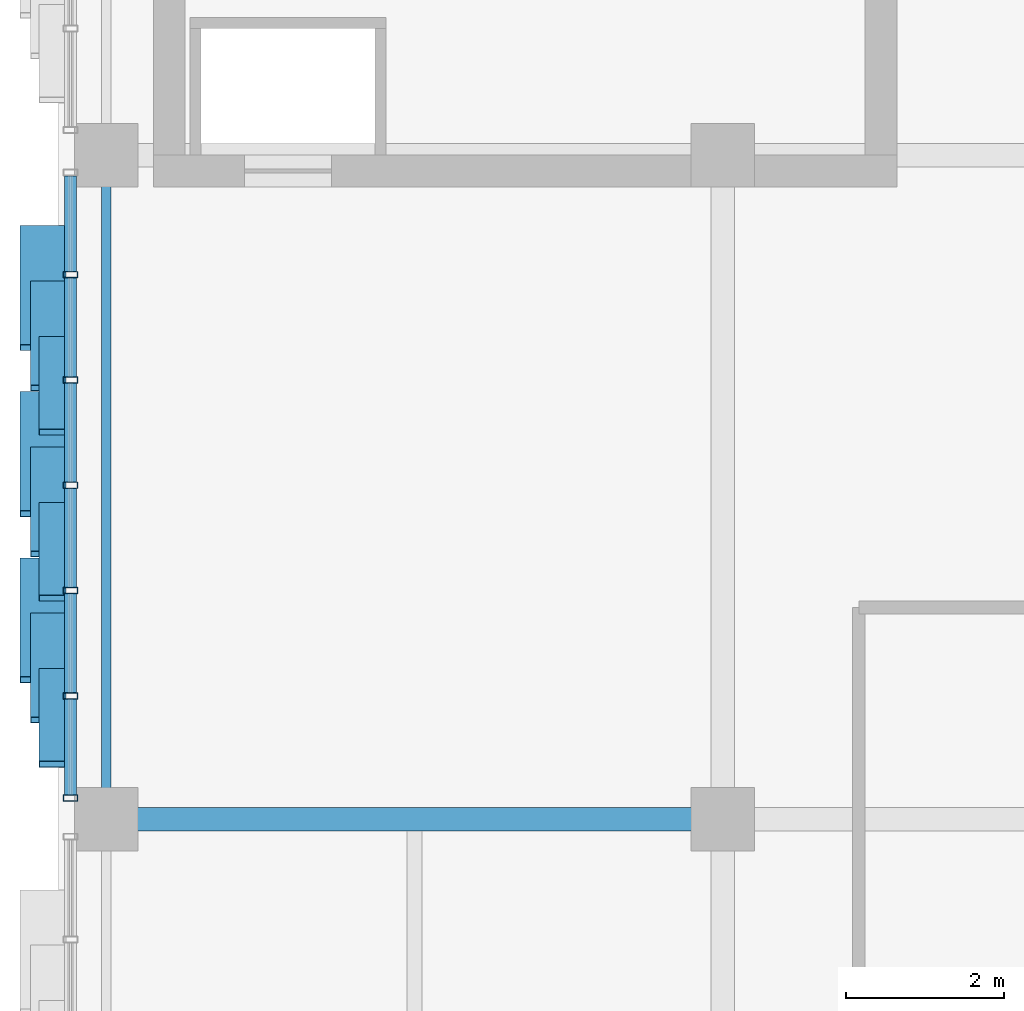
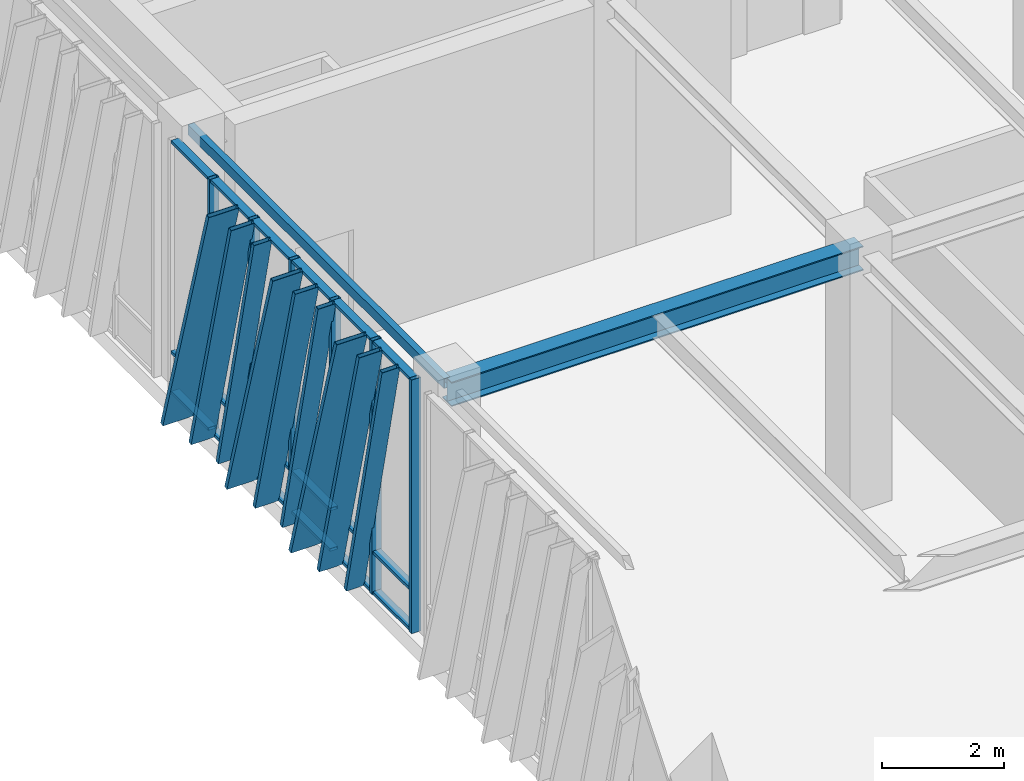
# One storey, part 39 of 122: 33 members, 2 beams, 1 element without a shape of its own.
"""IFC4 building model written with IfcOpenShell, lengths in metres."""

from ifc_helpers import new_model, si_unit, direction, frame, origin, origin_2d, place, context, subcontext, project, spatial, hollow_rectangle, i_section, extrude, material, layer, layer_set, material_profile, profile_set, type_object, element, aggregate, save


model = new_model("IFC4")

# Units and contexts
model_context = context("Model", 3, precision=1e-05, world=origin(), true_north=direction((0.0, 1.0)))
body_context = subcontext(model_context, "Body", "Model", "MODEL_VIEW")
ifc_project = project(units=[si_unit("LENGTHUNIT", "METRE"), si_unit("AREAUNIT", "SQUARE_METRE"), si_unit("VOLUMEUNIT", "CUBIC_METRE"), si_unit("PLANEANGLEUNIT", "RADIAN"), si_unit("MASSUNIT", "GRAM", prefix="KILO")], contexts=[model_context])

# Site, building, storey
site_placement = place(None, origin())
site = spatial("IfcSite", under=ifc_project, at=site_placement, CompositionType="ELEMENT")
building_placement = place(site_placement, origin())
building = spatial("IfcBuilding", under=site, at=building_placement, Name="Zayran Congress Hotel", CompositionType="ELEMENT")
storey_placement = place(building_placement, origin())
storey = spatial("IfcBuildingStorey", under=building, at=storey_placement, Name="L00", CompositionType="ELEMENT", Elevation=0.0)

# Beams
ifc_material_1 = material(Name="Steel S355", Category="steel")
ifc_material_profile_1 = material_profile(ifc_material_1, i_section(OverallWidth=0.300048828125, OverallDepth=0.489990234375, WebThickness=0.011962890625, FlangeThickness=0.02294921875, at=origin_2d()), Name="HEA 500")
ifc_profile_set_1 = profile_set([ifc_material_profile_1], Name="Steel S355")
beam_type_1 = type_object("IfcBeamType", Name="TP-BM-05", PredefinedType="BEAM", material=ifc_profile_set_1)
beam_1_placement = place(storey_placement, frame((9.0, 101.199951171875, 4.8349609375), z_axis=(1.0, 0.0, 0.0), x_axis=(0.0, 1.0, 0.0)))
element("IfcBeam", 1, at=beam_1_placement, inside=storey, type_object=beam_type_1, Name="BM-V1-L00-0421", PredefinedType="BEAM", context=body_context, shape_type="SweptSolid", body=[
    extrude(i_section(OverallWidth=0.300048828125, OverallDepth=0.489990234375, WebThickness=0.011962890625, FlangeThickness=0.02294921875, at=origin_2d()), origin(), (0.0, 0.0, 1.0), 7.800048828125),
])
ifc_material_profile_2 = material_profile(ifc_material_1, hollow_rectangle(XDim=0.1201171875, YDim=0.199951171875, WallThickness=0.008056640625, at=origin_2d()), Name="RHS 200x120x8")
ifc_profile_set_2 = profile_set([ifc_material_profile_2], Name="Steel S355")
beam_type_2 = type_object("IfcBeamType", Name="TP-SP-02", PredefinedType="SPANDREL", material=ifc_profile_set_2)
beam_2_placement = place(storey_placement, frame((9.0, 101.199951171875, 4.97998046875), z_axis=(0.0, 1.0, 0.0), x_axis=(-1.0, 0.0, 0.0)))
element("IfcBeam", 2, at=beam_2_placement, inside=storey, type_object=beam_type_2, Name="BM-V1-L00-0449", PredefinedType="SPANDREL", context=body_context, shape_type="SweptSolid", body=[
    extrude(hollow_rectangle(XDim=0.1201171875, YDim=0.199951171875, WallThickness=0.008056640625, at=origin_2d()), origin(), (0.0, 0.0, 1.0), 8.400146484375),
])

# Curtain wall, members
ifc_material_2 = material(Name="Anodised aluminium and low-E insulated glass", Category="aluminium")
ifc_layer = layer(ifc_material_2, 0.179931640625)
ifc_layer_set = layer_set([ifc_layer], Name="Anodised aluminium and low-E insulated glass")
curtain_wall_type = type_object("IfcCurtainWallType", Name="CW-V1W-L00-CW-31-7990-5080", PredefinedType="USERDEFINED", material=ifc_layer_set)
curtain_wall_placement = place(storey_placement, origin())
curtain_wall = element("IfcCurtainWall", 3, at=curtain_wall_placement, inside=storey, type_object=curtain_wall_type, Name="CW-V1W-L00-4", ObjectType="CURTAIN WALL", PredefinedType="USERDEFINED")
ifc_material_3 = material(Name="Anodised aluminium framing", Category="aluminium")
ifc_material_profile_3 = material_profile(ifc_material_3, hollow_rectangle(XDim=0.080078125, YDim=0.179931640625, WallThickness=0.0048828125, at=origin_2d()), Name="RHS 180x80x5")
ifc_profile_set_3 = profile_set([ifc_material_profile_3], Name="Anodised aluminium framing")
member_type_1 = type_object("IfcMemberType", Name="TP-CWM-01", PredefinedType="MULLION", material=ifc_profile_set_3)
member_1_placement = place(storey_placement, frame((8.550048828125, 108.08837890625, 0.0), z_axis=(0.0, 0.0, 1.0), x_axis=(0.0, 1.0, 0.0)))
member_1 = element("IfcMember", 4, at=member_1_placement, type_object=member_type_1, Name="CW-V1W-L00-4-M01", PredefinedType="MULLION", context=body_context, shape_type="SweptSolid", body=[
    extrude(hollow_rectangle(XDim=0.080078125, YDim=0.179931640625, WallThickness=0.0048828125, at=origin_2d()), origin(), (0.0, 0.0, 1.0), 5.080078125),
])
member_2_placement = place(storey_placement, frame((8.550048828125, 106.756591796875, 0.0), z_axis=(0.0, 0.0, 1.0), x_axis=(0.0, 1.0, 0.0)))
member_2 = element("IfcMember", 5, at=member_2_placement, type_object=member_type_1, Name="CW-V1W-L00-4-M02", PredefinedType="MULLION", context=body_context, shape_type="SweptSolid", body=[
    extrude(hollow_rectangle(XDim=0.080078125, YDim=0.179931640625, WallThickness=0.0048828125, at=origin_2d()), origin(), (0.0, 0.0, 1.0), 5.080078125),
])
member_3_placement = place(storey_placement, frame((8.550048828125, 105.425048828125, 0.0), z_axis=(0.0, 0.0, 1.0), x_axis=(0.0, 1.0, 0.0)))
member_3 = element("IfcMember", 6, at=member_3_placement, type_object=member_type_1, Name="CW-V1W-L00-4-M03", PredefinedType="MULLION", context=body_context, shape_type="SweptSolid", body=[
    extrude(hollow_rectangle(XDim=0.080078125, YDim=0.179931640625, WallThickness=0.0048828125, at=origin_2d()), origin(), (0.0, 0.0, 1.0), 5.080078125),
])
member_4_placement = place(storey_placement, frame((8.550048828125, 104.09326171875, 0.0), z_axis=(0.0, 0.0, 1.0), x_axis=(0.0, 1.0, 0.0)))
member_4 = element("IfcMember", 7, at=member_4_placement, type_object=member_type_1, Name="CW-V1W-L00-4-M04", PredefinedType="MULLION", context=body_context, shape_type="SweptSolid", body=[
    extrude(hollow_rectangle(XDim=0.080078125, YDim=0.179931640625, WallThickness=0.0048828125, at=origin_2d()), origin(), (0.0, 0.0, 1.0), 5.080078125),
])
member_5_placement = place(storey_placement, frame((8.550048828125, 102.76171875, 0.0), z_axis=(0.0, 0.0, 1.0), x_axis=(0.0, 1.0, 0.0)))
member_5 = element("IfcMember", 8, at=member_5_placement, type_object=member_type_1, Name="CW-V1W-L00-4-M05", PredefinedType="MULLION", context=body_context, shape_type="SweptSolid", body=[
    extrude(hollow_rectangle(XDim=0.080078125, YDim=0.179931640625, WallThickness=0.0048828125, at=origin_2d()), origin(), (0.0, 0.0, 1.0), 5.080078125),
])
member_6_placement = place(storey_placement, frame((8.550048828125, 101.469970703125, 0.0), z_axis=(0.0, 0.0, 1.0), x_axis=(0.0, 1.0, 0.0)))
member_6 = element("IfcMember", 9, at=member_6_placement, type_object=member_type_1, Name="CW-V1W-L00-4-M06", PredefinedType="MULLION", context=body_context, shape_type="SweptSolid", body=[
    extrude(hollow_rectangle(XDim=0.080078125, YDim=0.179931640625, WallThickness=0.0048828125, at=origin_2d()), origin(), (0.0, 0.0, 1.0), 5.080078125),
])
ifc_material_profile_4 = material_profile(ifc_material_3, hollow_rectangle(XDim=0.06005859375, YDim=0.14990234375, WallThickness=0.00390625, at=origin_2d()), Name="RHS 150x60x4")
ifc_profile_set_4 = profile_set([ifc_material_profile_4], Name="Anodised aluminium framing")
member_type_2 = type_object("IfcMemberType", Name="TP-CWT-01", PredefinedType="USERDEFINED", material=ifc_profile_set_4)
member_7_placement = place(storey_placement, frame((8.550048828125, 109.340087890625, 0.030029296875), z_axis=(0.0, -1.0, 0.0), x_axis=(0.0, 0.0, 1.0)))
member_7 = element("IfcMember", 10, at=member_7_placement, type_object=member_type_2, Name="CW-V1W-L00-4-T00-0", ObjectType="TRANSOM", PredefinedType="USERDEFINED", context=body_context, shape_type="SweptSolid", body=[
    extrude(hollow_rectangle(XDim=0.06005859375, YDim=0.14990234375, WallThickness=0.00390625, at=origin_2d()), origin(), (0.0, 0.0, 1.0), 1.211669921875),
])
member_8_placement = place(storey_placement, frame((8.550048828125, 109.340087890625, 0.840087890625), z_axis=(0.0, -1.0, 0.0), x_axis=(0.0, 0.0, 1.0)))
member_8 = element("IfcMember", 11, at=member_8_placement, type_object=member_type_2, Name="CW-V1W-L00-4-T00-1", ObjectType="TRANSOM", PredefinedType="USERDEFINED", context=body_context, shape_type="SweptSolid", body=[
    extrude(hollow_rectangle(XDim=0.06005859375, YDim=0.14990234375, WallThickness=0.00390625, at=origin_2d()), origin(), (0.0, 0.0, 1.0), 1.211669921875),
])
member_9_placement = place(storey_placement, frame((8.550048828125, 109.340087890625, 5.050048828125), z_axis=(0.0, -1.0, 0.0), x_axis=(0.0, 0.0, 1.0)))
member_9 = element("IfcMember", 12, at=member_9_placement, type_object=member_type_2, Name="CW-V1W-L00-4-T00-2", ObjectType="TRANSOM", PredefinedType="USERDEFINED", context=body_context, shape_type="SweptSolid", body=[
    extrude(hollow_rectangle(XDim=0.06005859375, YDim=0.14990234375, WallThickness=0.00390625, at=origin_2d()), origin(), (0.0, 0.0, 1.0), 1.211669921875),
])
member_10_placement = place(storey_placement, frame((8.550048828125, 108.04833984375, 0.030029296875), z_axis=(0.0, -1.0, 0.0), x_axis=(0.0, 0.0, 1.0)))
member_10 = element("IfcMember", 13, at=member_10_placement, type_object=member_type_2, Name="CW-V1W-L00-4-T01-0", ObjectType="TRANSOM", PredefinedType="USERDEFINED", context=body_context, shape_type="SweptSolid", body=[
    extrude(hollow_rectangle(XDim=0.06005859375, YDim=0.14990234375, WallThickness=0.00390625, at=origin_2d()), origin(), (0.0, 0.0, 1.0), 1.251708984375),
])
member_11_placement = place(storey_placement, frame((8.550048828125, 108.04833984375, 0.840087890625), z_axis=(0.0, -1.0, 0.0), x_axis=(0.0, 0.0, 1.0)))
member_11 = element("IfcMember", 14, at=member_11_placement, type_object=member_type_2, Name="CW-V1W-L00-4-T01-1", ObjectType="TRANSOM", PredefinedType="USERDEFINED", context=body_context, shape_type="SweptSolid", body=[
    extrude(hollow_rectangle(XDim=0.06005859375, YDim=0.14990234375, WallThickness=0.00390625, at=origin_2d()), origin(), (0.0, 0.0, 1.0), 1.251708984375),
])
member_12_placement = place(storey_placement, frame((8.550048828125, 108.04833984375, 5.050048828125), z_axis=(0.0, -1.0, 0.0), x_axis=(0.0, 0.0, 1.0)))
member_12 = element("IfcMember", 15, at=member_12_placement, type_object=member_type_2, Name="CW-V1W-L00-4-T01-2", ObjectType="TRANSOM", PredefinedType="USERDEFINED", context=body_context, shape_type="SweptSolid", body=[
    extrude(hollow_rectangle(XDim=0.06005859375, YDim=0.14990234375, WallThickness=0.00390625, at=origin_2d()), origin(), (0.0, 0.0, 1.0), 1.251708984375),
])
member_13_placement = place(storey_placement, frame((8.550048828125, 106.716796875, 0.030029296875), z_axis=(0.0, -1.0, 0.0), x_axis=(0.0, 0.0, 1.0)))
member_13 = element("IfcMember", 16, at=member_13_placement, type_object=member_type_2, Name="CW-V1W-L00-4-T02-0", ObjectType="TRANSOM", PredefinedType="USERDEFINED", context=body_context, shape_type="SweptSolid", body=[
    extrude(hollow_rectangle(XDim=0.06005859375, YDim=0.14990234375, WallThickness=0.00390625, at=origin_2d()), origin(), (0.0, 0.0, 1.0), 1.251708984375),
])
member_14_placement = place(storey_placement, frame((8.550048828125, 106.716796875, 0.840087890625), z_axis=(0.0, -1.0, 0.0), x_axis=(0.0, 0.0, 1.0)))
member_14 = element("IfcMember", 17, at=member_14_placement, type_object=member_type_2, Name="CW-V1W-L00-4-T02-1", ObjectType="TRANSOM", PredefinedType="USERDEFINED", context=body_context, shape_type="SweptSolid", body=[
    extrude(hollow_rectangle(XDim=0.06005859375, YDim=0.14990234375, WallThickness=0.00390625, at=origin_2d()), origin(), (0.0, 0.0, 1.0), 1.251708984375),
])
member_15_placement = place(storey_placement, frame((8.550048828125, 106.716796875, 5.050048828125), z_axis=(0.0, -1.0, 0.0), x_axis=(0.0, 0.0, 1.0)))
member_15 = element("IfcMember", 18, at=member_15_placement, type_object=member_type_2, Name="CW-V1W-L00-4-T02-2", ObjectType="TRANSOM", PredefinedType="USERDEFINED", context=body_context, shape_type="SweptSolid", body=[
    extrude(hollow_rectangle(XDim=0.06005859375, YDim=0.14990234375, WallThickness=0.00390625, at=origin_2d()), origin(), (0.0, 0.0, 1.0), 1.251708984375),
])
member_16_placement = place(storey_placement, frame((8.550048828125, 105.385009765625, 0.030029296875), z_axis=(0.0, -1.0, 0.0), x_axis=(0.0, 0.0, 1.0)))
member_16 = element("IfcMember", 19, at=member_16_placement, type_object=member_type_2, Name="CW-V1W-L00-4-T03-0", ObjectType="TRANSOM", PredefinedType="USERDEFINED", context=body_context, shape_type="SweptSolid", body=[
    extrude(hollow_rectangle(XDim=0.06005859375, YDim=0.14990234375, WallThickness=0.00390625, at=origin_2d()), origin(), (0.0, 0.0, 1.0), 1.251708984375),
])
member_17_placement = place(storey_placement, frame((8.550048828125, 105.385009765625, 0.840087890625), z_axis=(0.0, -1.0, 0.0), x_axis=(0.0, 0.0, 1.0)))
member_17 = element("IfcMember", 20, at=member_17_placement, type_object=member_type_2, Name="CW-V1W-L00-4-T03-1", ObjectType="TRANSOM", PredefinedType="USERDEFINED", context=body_context, shape_type="SweptSolid", body=[
    extrude(hollow_rectangle(XDim=0.06005859375, YDim=0.14990234375, WallThickness=0.00390625, at=origin_2d()), origin(), (0.0, 0.0, 1.0), 1.251708984375),
])
member_18_placement = place(storey_placement, frame((8.550048828125, 105.385009765625, 5.050048828125), z_axis=(0.0, -1.0, 0.0), x_axis=(0.0, 0.0, 1.0)))
member_18 = element("IfcMember", 21, at=member_18_placement, type_object=member_type_2, Name="CW-V1W-L00-4-T03-2", ObjectType="TRANSOM", PredefinedType="USERDEFINED", context=body_context, shape_type="SweptSolid", body=[
    extrude(hollow_rectangle(XDim=0.06005859375, YDim=0.14990234375, WallThickness=0.00390625, at=origin_2d()), origin(), (0.0, 0.0, 1.0), 1.251708984375),
])
member_19_placement = place(storey_placement, frame((8.550048828125, 104.05322265625, 0.030029296875), z_axis=(0.0, -1.0, 0.0), x_axis=(0.0, 0.0, 1.0)))
member_19 = element("IfcMember", 22, at=member_19_placement, type_object=member_type_2, Name="CW-V1W-L00-4-T04-0", ObjectType="TRANSOM", PredefinedType="USERDEFINED", context=body_context, shape_type="SweptSolid", body=[
    extrude(hollow_rectangle(XDim=0.06005859375, YDim=0.14990234375, WallThickness=0.00390625, at=origin_2d()), origin(), (0.0, 0.0, 1.0), 1.25146484375),
])
member_20_placement = place(storey_placement, frame((8.550048828125, 104.05322265625, 0.840087890625), z_axis=(0.0, -1.0, 0.0), x_axis=(0.0, 0.0, 1.0)))
member_20 = element("IfcMember", 23, at=member_20_placement, type_object=member_type_2, Name="CW-V1W-L00-4-T04-1", ObjectType="TRANSOM", PredefinedType="USERDEFINED", context=body_context, shape_type="SweptSolid", body=[
    extrude(hollow_rectangle(XDim=0.06005859375, YDim=0.14990234375, WallThickness=0.00390625, at=origin_2d()), origin(), (0.0, 0.0, 1.0), 1.25146484375),
])
member_21_placement = place(storey_placement, frame((8.550048828125, 104.05322265625, 5.050048828125), z_axis=(0.0, -1.0, 0.0), x_axis=(0.0, 0.0, 1.0)))
member_21 = element("IfcMember", 24, at=member_21_placement, type_object=member_type_2, Name="CW-V1W-L00-4-T04-2", ObjectType="TRANSOM", PredefinedType="USERDEFINED", context=body_context, shape_type="SweptSolid", body=[
    extrude(hollow_rectangle(XDim=0.06005859375, YDim=0.14990234375, WallThickness=0.00390625, at=origin_2d()), origin(), (0.0, 0.0, 1.0), 1.25146484375),
])
member_22_placement = place(storey_placement, frame((8.550048828125, 102.7216796875, 0.030029296875), z_axis=(0.0, -1.0, 0.0), x_axis=(0.0, 0.0, 1.0)))
member_22 = element("IfcMember", 25, at=member_22_placement, type_object=member_type_2, Name="CW-V1W-L00-4-T05-0", ObjectType="TRANSOM", PredefinedType="USERDEFINED", context=body_context, shape_type="SweptSolid", body=[
    extrude(hollow_rectangle(XDim=0.06005859375, YDim=0.14990234375, WallThickness=0.00390625, at=origin_2d()), origin(), (0.0, 0.0, 1.0), 1.211669921875),
])
member_23_placement = place(storey_placement, frame((8.550048828125, 102.7216796875, 0.840087890625), z_axis=(0.0, -1.0, 0.0), x_axis=(0.0, 0.0, 1.0)))
member_23 = element("IfcMember", 26, at=member_23_placement, type_object=member_type_2, Name="CW-V1W-L00-4-T05-1", ObjectType="TRANSOM", PredefinedType="USERDEFINED", context=body_context, shape_type="SweptSolid", body=[
    extrude(hollow_rectangle(XDim=0.06005859375, YDim=0.14990234375, WallThickness=0.00390625, at=origin_2d()), origin(), (0.0, 0.0, 1.0), 1.211669921875),
])
member_24_placement = place(storey_placement, frame((8.550048828125, 102.7216796875, 5.050048828125), z_axis=(0.0, -1.0, 0.0), x_axis=(0.0, 0.0, 1.0)))
member_24 = element("IfcMember", 27, at=member_24_placement, type_object=member_type_2, Name="CW-V1W-L00-4-T05-2", ObjectType="TRANSOM", PredefinedType="USERDEFINED", context=body_context, shape_type="SweptSolid", body=[
    extrude(hollow_rectangle(XDim=0.06005859375, YDim=0.14990234375, WallThickness=0.00390625, at=origin_2d()), origin(), (0.0, 0.0, 1.0), 1.211669921875),
])
ifc_material_4 = material(Name="Warm bronze anodised aluminium", Category="aluminium")
ifc_material_profile_5 = material_profile(ifc_material_4, hollow_rectangle(XDim=0.080078125, YDim=0.580078125, WallThickness=0.006103515625, at=origin_2d()), Name="RHS 580x80x6")
ifc_profile_set_5 = profile_set([ifc_material_profile_5], Name="Warm bronze anodised aluminium")
member_type_3 = type_object("IfcMemberType", Name="TP-RFN-01", PredefinedType="MULLION", material=ifc_profile_set_5)
member_25_placement = place(storey_placement, frame((8.199951171875, 108.669921875, 0.0), z_axis=(0.0, -0.283989486251, 0.958827394112), x_axis=(0.0, 0.958827394112, 0.283989486251)))
member_25 = element("IfcMember", 28, at=member_25_placement, type_object=member_type_3, Name="Slanting Reed Mullion CW-31-01", PredefinedType="MULLION", context=body_context, shape_type="SweptSolid", body=[
    extrude(hollow_rectangle(XDim=0.080078125, YDim=0.580078125, WallThickness=0.006103515625, at=origin_2d()), origin(), (0.0, 0.0, 1.0), 5.29833984375),
])
member_26_placement = place(storey_placement, frame((8.199951171875, 106.570068359375, 0.0), z_axis=(0.0, -0.284031848834, 0.958814845968), x_axis=(0.0, 0.958814845968, 0.284031848834)))
member_26 = element("IfcMember", 29, at=member_26_placement, type_object=member_type_3, Name="Slanting Reed Mullion CW-31-04", PredefinedType="MULLION", context=body_context, shape_type="SweptSolid", body=[
    extrude(hollow_rectangle(XDim=0.080078125, YDim=0.580078125, WallThickness=0.006103515625, at=origin_2d()), origin(), (0.0, 0.0, 1.0), 5.29833984375),
])
member_27_placement = place(storey_placement, frame((8.199951171875, 104.469970703125, 0.0), z_axis=(0.0, -0.284031848834, 0.958814845968), x_axis=(0.0, 0.958814845968, 0.284031848834)))
member_27 = element("IfcMember", 30, at=member_27_placement, type_object=member_type_3, Name="Slanting Reed Mullion CW-31-07", PredefinedType="MULLION", context=body_context, shape_type="SweptSolid", body=[
    extrude(hollow_rectangle(XDim=0.080078125, YDim=0.580078125, WallThickness=0.006103515625, at=origin_2d()), origin(), (0.0, 0.0, 1.0), 5.29833984375),
])
ifc_material_profile_6 = material_profile(ifc_material_4, hollow_rectangle(XDim=0.080078125, YDim=0.449951171875, WallThickness=0.006103515625, at=origin_2d()), Name="RHS 450x80x6")
ifc_profile_set_6 = profile_set([ifc_material_profile_6], Name="Warm bronze anodised aluminium")
member_type_4 = type_object("IfcMemberType", Name="TP-RFN-02", PredefinedType="MULLION", material=ifc_profile_set_6)
member_28_placement = place(storey_placement, frame((8.264892578125, 107.969970703125, 0.0), z_axis=(0.0, -0.250366279854, 0.968151189594), x_axis=(0.0, 0.968151189594, 0.250366279854)))
member_28 = element("IfcMember", 31, at=member_28_placement, type_object=member_type_4, Name="Slanting Reed Mullion CW-31-02", PredefinedType="MULLION", context=body_context, shape_type="SweptSolid", body=[
    extrude(hollow_rectangle(XDim=0.080078125, YDim=0.449951171875, WallThickness=0.006103515625, at=origin_2d()), origin(), (0.0, 0.0, 1.0), 5.247314453125),
])
member_29_placement = place(storey_placement, frame((8.264892578125, 105.8701171875, 0.0), z_axis=(0.0, -0.25040989041, 0.968139910749), x_axis=(0.0, 0.968139910749, 0.25040989041)))
member_29 = element("IfcMember", 32, at=member_29_placement, type_object=member_type_4, Name="Slanting Reed Mullion CW-31-05", PredefinedType="MULLION", context=body_context, shape_type="SweptSolid", body=[
    extrude(hollow_rectangle(XDim=0.080078125, YDim=0.449951171875, WallThickness=0.006103515625, at=origin_2d()), origin(), (0.0, 0.0, 1.0), 5.247314453125),
])
member_30_placement = place(storey_placement, frame((8.264892578125, 103.77001953125, 0.0), z_axis=(0.0, -0.250366279854, 0.968151189594), x_axis=(0.0, 0.968151189594, 0.250366279854)))
member_30 = element("IfcMember", 33, at=member_30_placement, type_object=member_type_4, Name="Slanting Reed Mullion CW-31-08", PredefinedType="MULLION", context=body_context, shape_type="SweptSolid", body=[
    extrude(hollow_rectangle(XDim=0.080078125, YDim=0.449951171875, WallThickness=0.006103515625, at=origin_2d()), origin(), (0.0, 0.0, 1.0), 5.247314453125),
])
ifc_material_profile_7 = material_profile(ifc_material_4, hollow_rectangle(XDim=0.080078125, YDim=0.340087890625, WallThickness=0.006103515625, at=origin_2d()), Name="RHS 340x80x6")
ifc_profile_set_7 = profile_set([ifc_material_profile_7], Name="Warm bronze anodised aluminium")
member_type_5 = type_object("IfcMemberType", Name="TP-RFN-03", PredefinedType="MULLION", material=ifc_profile_set_7)
member_31_placement = place(storey_placement, frame((8.320068359375, 107.27001953125, 0.0), z_axis=(0.0, -0.224955263497, 0.974369093016), x_axis=(0.0, 0.974369093016, 0.224955263497)))
member_31 = element("IfcMember", 34, at=member_31_placement, type_object=member_type_5, Name="Slanting Reed Mullion CW-31-03", PredefinedType="MULLION", context=body_context, shape_type="SweptSolid", body=[
    extrude(hollow_rectangle(XDim=0.080078125, YDim=0.340087890625, WallThickness=0.006103515625, at=origin_2d()), origin(), (0.0, 0.0, 1.0), 5.213623046875),
])
member_32_placement = place(storey_placement, frame((8.320068359375, 105.169921875, 0.0), z_axis=(0.0, -0.224910805794, 0.97437935602), x_axis=(0.0, 0.97437935602, 0.224910805794)))
member_32 = element("IfcMember", 35, at=member_32_placement, type_object=member_type_5, Name="Slanting Reed Mullion CW-31-06", PredefinedType="MULLION", context=body_context, shape_type="SweptSolid", body=[
    extrude(hollow_rectangle(XDim=0.080078125, YDim=0.340087890625, WallThickness=0.006103515625, at=origin_2d()), origin(), (0.0, 0.0, 1.0), 5.213623046875),
])
member_33_placement = place(storey_placement, frame((8.320068359375, 103.070068359375, 0.0), z_axis=(0.0, -0.224955263497, 0.974369093016), x_axis=(0.0, 0.974369093016, 0.224955263497)))
member_33 = element("IfcMember", 36, at=member_33_placement, type_object=member_type_5, Name="Slanting Reed Mullion CW-31-09", PredefinedType="MULLION", context=body_context, shape_type="SweptSolid", body=[
    extrude(hollow_rectangle(XDim=0.080078125, YDim=0.340087890625, WallThickness=0.006103515625, at=origin_2d()), origin(), (0.0, 0.0, 1.0), 5.213623046875),
])
aggregate(curtain_wall, [member_1, member_2, member_3, member_4, member_5, member_6, member_7, member_8, member_9, member_10, member_11, member_12, member_13, member_14, member_15, member_16, member_17, member_18, member_19, member_20, member_21, member_22, member_23, member_24, member_25, member_28, member_31, member_26, member_29, member_32, member_27, member_30, member_33])

save(model, "model.ifc")
